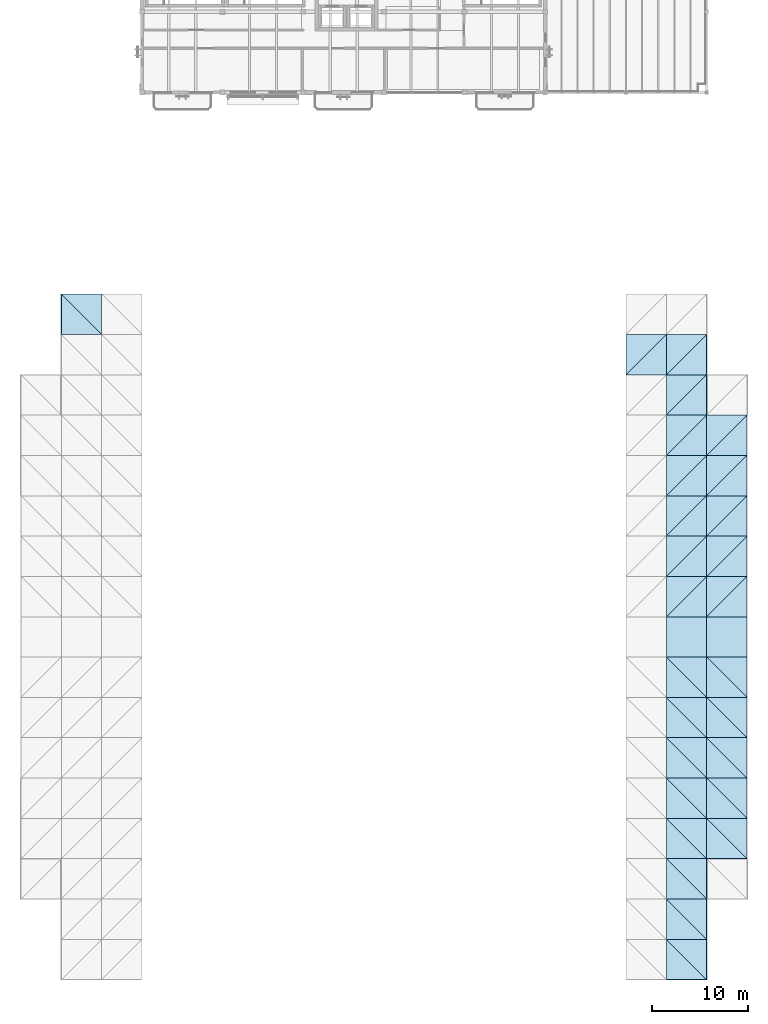
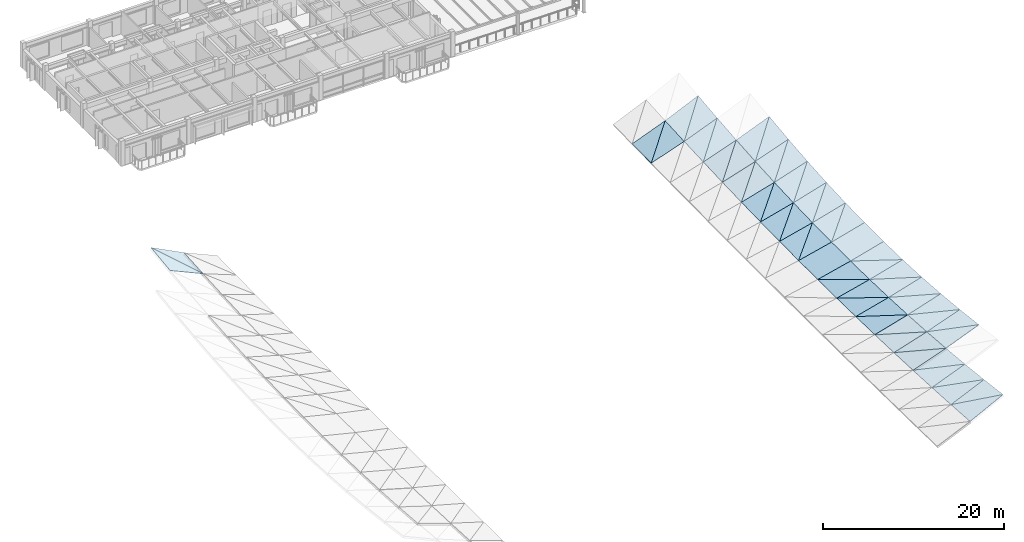
# One storey, part 19 of 24: 56 roofs.
"""IFC4 building model written with IfcOpenShell, lengths in metres."""

from ifc_helpers import new_model, si_unit, direction, frame, origin, place, context, subcontext, project, spatial, polyline, outline, extrude, material, layer, layer_set, type_object, element, save


model = new_model("IFC4")

# Units and contexts
model_context = context("Model", 3, precision=1e-05, world=origin(), true_north=direction((0.0, 1.0)))
body_context = subcontext(model_context, "Body", "Model", "MODEL_VIEW")
ifc_project = project(units=[si_unit("LENGTHUNIT", "METRE"), si_unit("AREAUNIT", "SQUARE_METRE"), si_unit("VOLUMEUNIT", "CUBIC_METRE"), si_unit("PLANEANGLEUNIT", "RADIAN"), si_unit("MASSUNIT", "GRAM", prefix="KILO")], contexts=[model_context])

# Site, building, storey
site_placement = place(None, origin())
site = spatial("IfcSite", under=ifc_project, at=site_placement, CompositionType="ELEMENT")
building_placement = place(site_placement, origin())
building = spatial("IfcBuilding", under=site, at=building_placement, Name="Cumbredor Promenade Congress Hotel", CompositionType="ELEMENT")
storey_placement = place(building_placement, frame((0.0, 0.0, 35.280029296875)))
storey = spatial("IfcBuildingStorey", under=building, at=storey_placement, Name="L10", CompositionType="ELEMENT", Elevation=35.280029296875)

# Roofs
ifc_material = material(Name="Standing-seam zinc-aluminium roofing", Category="aluminium")
ifc_layer = layer(ifc_material, 0.050048828125, Name="Standing-seam zinc-aluminium roofing", Category="aluminium")
ifc_layer_set = layer_set([ifc_layer], Name="Standing-seam zinc-aluminium roofing")
roof_type = type_object("IfcRoofType", Name="Sweeping Pavilion Standing-Seam Roof Skin 50mm", PredefinedType="FREEFORM", material=ifc_layer_set)
roof_1_placement = place(storey_placement, frame((0.0, 67.199951171875, 3.99951171875), z_axis=(0.409046691077, -0.115494917277, 0.905174971263), x_axis=(0.911273146381, 0.0, -0.411802443758)))
element("IfcRoof", 1, at=roof_1_placement, inside=storey, type_object=roof_type, Name="Plenary Congress Hall Standing-Seam Roof Skin 2.17.1", PredefinedType="FREEFORM", context=body_context, shape_type="SweptSolid", body=[
    extrude(outline(polyline([(0.0, 0.0), (4.608882845450502, 0.0), (-0.22068026466025614, 4.228246295518701), (0.0, 0.0)])), origin(), (0.0, 0.0, -1.0), 0.050048828125),
])
roof_2_placement = place(storey_placement, frame((4.199951171875, 67.199951171875, 2.1015625), z_axis=(0.45453933553, -0.060439938921, 0.888673734415), x_axis=(0.0, 0.997695217775, 0.067854641911)))
element("IfcRoof", 2, at=roof_2_placement, inside=storey, type_object=roof_type, Name="Plenary Congress Hall Standing-Seam Roof Skin 2.17.2", PredefinedType="FREEFORM", context=body_context, shape_type="SweptSolid", body=[
    extrude(outline(polyline([(0.0, 0.0), (4.209653506450053, 0.0), (4.355418397606259, 4.7151964065034715), (0.0, 0.0)])), origin(), (0.0, 0.0, -1.0), 0.050048828125),
])
roof_3_placement = place(storey_placement, frame((58.800048828125, 63.0, 0.396484375), z_axis=(-0.326844885667, -0.056155899819, 0.943408149015), x_axis=(0.944899188184, 0.0, 0.327361457977)))
element("IfcRoof", 3, at=roof_3_placement, inside=storey, type_object=roof_type, Name="Plenary Congress Hall Standing-Seam Roof Skin 16.16.1", PredefinedType="FREEFORM", context=body_context, shape_type="SweptSolid", body=[
    extrude(outline(polyline([(0.0, 0.0), (4.444866949188435, 0.0), (4.526707313682679, 4.20658911719146), (0.0, 0.0)])), origin(), (0.0, 0.0, -1.0), 0.050048828125),
])
roof_4_placement = place(storey_placement, frame((58.800048828125, 63.0, 0.396484375), z_axis=(-0.364619815794, -0.013368130399, 0.93106051523), x_axis=(0.679656505654, 0.679656505654, 0.275924026942)))
element("IfcRoof", 4, at=roof_4_placement, inside=storey, type_object=roof_type, Name="Plenary Congress Hall Standing-Seam Roof Skin 16.16.2", PredefinedType="FREEFORM", context=body_context, shape_type="SweptSolid", body=[
    extrude(outline(polyline([(0.0, 0.0), (6.179520297290226, 1.6653345369377348e-16), (2.8711631106988817, 3.065884645199361), (0.0, 0.0)])), origin(), (0.0, 0.0, -1.0), 0.050048828125),
])
roof_5_placement = place(storey_placement, frame((63.0, 0.0, 2.38720703125), z_axis=(-0.45453933553, 0.060439938921, 0.888673734415), x_axis=(0.890301351474, 0.0, 0.455371830007)))
element("IfcRoof", 5, at=roof_5_placement, inside=storey, type_object=roof_type, Name="Plenary Congress Hall Standing-Seam Roof Skin 17.1.1", PredefinedType="FREEFORM", context=body_context, shape_type="SweptSolid", body=[
    extrude(outline(polyline([(0.0, 0.0), (4.717448945711764, 0.0), (-0.13007447292690355, 4.207643434971648), (0.0, 0.0)])), origin(), (0.0, 0.0, -1.0), 0.050048828125),
])
roof_6_placement = place(storey_placement, frame((67.199951171875, 0.0, 4.535400390625), z_axis=(-0.409046691077, 0.115494917277, 0.905174971263), x_axis=(0.0, 0.991957945242, -0.126567906168)))
element("IfcRoof", 6, at=roof_6_placement, inside=storey, type_object=roof_type, Name="Plenary Congress Hall Standing-Seam Roof Skin 17.1.2", PredefinedType="FREEFORM", context=body_context, shape_type="SweptSolid", body=[
    extrude(outline(polyline([(0.0, 0.0), (4.234001241707204, 0.0), (4.474220700337317, 4.602618352066939), (0.0, 0.0)])), origin(), (0.0, 0.0, -1.0), 0.050048828125),
])
roof_7_placement = place(storey_placement, frame((63.0, 4.199951171875, 2.1015625), z_axis=(-0.411197951808, 0.054163455448, 0.909935472725), x_axis=(0.911273146381, 0.0, 0.411802443758)))
element("IfcRoof", 7, at=roof_7_placement, inside=storey, type_object=roof_type, Name="Plenary Congress Hall Standing-Seam Roof Skin 17.2.1", PredefinedType="FREEFORM", context=body_context, shape_type="SweptSolid", body=[
    extrude(outline(polyline([(0.0, 0.0), (4.608882845450503, 0.0), (-0.10295061093945436, 4.2061254163233635), (0.0, 0.0)])), origin(), (0.0, 0.0, -1.0), 0.050048828125),
])
roof_8_placement = place(storey_placement, frame((67.199951171875, 4.199951171875, 3.99951171875), z_axis=(-0.369264178227, 0.103080433585, 0.923589947374), x_axis=(0.0, 0.993829366657, -0.110919745625)))
element("IfcRoof", 8, at=roof_8_placement, inside=storey, type_object=roof_type, Name="Plenary Congress Hall Standing-Seam Roof Skin 17.2.2", PredefinedType="FREEFORM", context=body_context, shape_type="SweptSolid", body=[
    extrude(outline(polyline([(0.0, 0.0), (4.22602844389791, -2.7755575615628914e-17), (4.4122847940948935, 4.519359294678406), (0.0, 0.0)])), origin(), (0.0, 0.0, -1.0), 0.050048828125),
])
roof_9_placement = place(storey_placement, frame((63.0, 8.39990234375, 1.8515625), z_axis=(-0.370825649109, 0.047334398802, 0.927495440772), x_axis=(0.928536237843, 0.0, 0.371241774335)))
element("IfcRoof", 9, at=roof_9_placement, inside=storey, type_object=roof_type, Name="Plenary Congress Hall Standing-Seam Roof Skin 17.3.1", PredefinedType="FREEFORM", context=body_context, shape_type="SweptSolid", body=[
    extrude(outline(polyline([(0.0, 0.0), (4.523195757689998, 0.0), (-0.07957770455719006, 4.204908598182298), (0.0, 0.0)])), origin(), (0.0, 0.0, -1.0), 0.050048828125),
])
roof_10_placement = place(storey_placement, frame((67.199951171875, 8.39990234375, 3.53076171875), z_axis=(-0.333285481818, 0.089849284982, 0.938534971963), x_axis=(0.0, 0.995448803376, -0.095297848126)))
element("IfcRoof", 10, at=roof_10_placement, inside=storey, type_object=roof_type, Name="Plenary Congress Hall Standing-Seam Roof Skin 17.3.2", PredefinedType="FREEFORM", context=body_context, shape_type="SweptSolid", body=[
    extrude(outline(polyline([(0.0, 0.0), (4.219398625279021, 2.7755575615628914e-17), (4.361531084800967, 4.454641002387205), (0.0, 0.0)])), origin(), (0.0, 0.0, -1.0), 0.050048828125),
])
roof_11_placement = place(storey_placement, frame((63.0, 12.60009765625, 1.63720703125), z_axis=(-0.334371010112, 0.040010674152, 0.94159182959), x_axis=(0.942346411237, 0.0, 0.334638971473)))
element("IfcRoof", 11, at=roof_11_placement, inside=storey, type_object=roof_type, Name="Plenary Congress Hall Standing-Seam Roof Skin 17.4.1", PredefinedType="FREEFORM", context=body_context, shape_type="SweptSolid", body=[
    extrude(outline(polyline([(0.0, 0.0), (4.456907907529506, 6.938893903907228e-18), (-0.05972194534830862, 4.2033169679391085), (0.0, 0.0)])), origin(), (0.0, 0.0, -1.0), 0.050048828125),
])
roof_12_placement = place(storey_placement, frame((67.199951171875, 12.60009765625, 3.128662109375), z_axis=(-0.302098077759, 0.075731662938, 0.95026389316), x_axis=(0.0, 0.99683936923, -0.079443514225)))
element("IfcRoof", 12, at=roof_12_placement, inside=storey, type_object=roof_type, Name="Plenary Congress Hall Standing-Seam Roof Skin 17.4.2", PredefinedType="FREEFORM", context=body_context, shape_type="SweptSolid", body=[
    extrude(outline(polyline([(0.0, 0.0), (4.213267755584073, -1.3877787807814457e-17), (4.319341139201555, 4.405804226707414), (0.0, 0.0)])), origin(), (0.0, 0.0, -1.0), 0.050048828125),
])
roof_13_placement = place(storey_placement, frame((63.0, 16.800048828125, 1.458740234375), z_axis=(-0.302809161441, 0.032390447878, 0.952500640752), x_axis=(0.953000688043, 0.0, 0.302968131309)))
element("IfcRoof", 13, at=roof_13_placement, inside=storey, type_object=roof_type, Name="Plenary Congress Hall Standing-Seam Roof Skin 17.5.1", PredefinedType="FREEFORM", context=body_context, shape_type="SweptSolid", body=[
    extrude(outline(polyline([(0.0, 0.0), (4.407080943979243, -6.938893903907228e-18), (-0.04327059492572728, 4.202156077694785), (0.0, 0.0)])), origin(), (0.0, 0.0, -1.0), 0.050048828125),
])
roof_14_placement = place(storey_placement, frame((67.199951171875, 16.800048828125, 2.7939453125), z_axis=(-0.276311214531, 0.061216649224, 0.959116590714), x_axis=(0.0, 0.99796931825, -0.063696466398)))
element("IfcRoof", 14, at=roof_14_placement, inside=storey, type_object=roof_type, Name="Plenary Congress Hall Standing-Seam Roof Skin 17.5.2", PredefinedType="FREEFORM", context=body_context, shape_type="SweptSolid", body=[
    extrude(outline(polyline([(0.0, 0.0), (4.208497290517599, 1.3877787807814457e-17), (4.28556752671552, 4.370086440232328), (0.0, 0.0)])), origin(), (0.0, 0.0, -1.0), 0.050048828125),
])
roof_15_placement = place(storey_placement, frame((63.0, 21.0, 1.31591796875), z_axis=(-0.27674721727, 0.024514130021, 0.960630019915), x_axis=(0.96091879181, 0.0, 0.276830409359)))
element("IfcRoof", 15, at=roof_15_placement, inside=storey, type_object=roof_type, Name="Plenary Congress Hall Standing-Seam Roof Skin 17.6.1", PredefinedType="FREEFORM", context=body_context, shape_type="SweptSolid", body=[
    extrude(outline(polyline([(0.0, 0.0), (4.37076598737682, 3.469446951953614e-18), (-0.029670056081252456, 4.201213705663172), (0.0, 0.0)])), origin(), (0.0, 0.0, -1.0), 0.050048828125),
])
roof_16_placement = place(storey_placement, frame((67.199951171875, 21.0, 2.52587890625), z_axis=(-0.256577242509, 0.046186148422, 0.965419576309), x_axis=(0.0, 0.998857604206, -0.047785840159)))
element("IfcRoof", 16, at=roof_16_placement, inside=storey, type_object=roof_type, Name="Plenary Congress Hall Standing-Seam Roof Skin 17.6.2", PredefinedType="FREEFORM", context=body_context, shape_type="SweptSolid", body=[
    extrude(outline(polyline([(0.0, 0.0), (4.204754665919911, 0.0), (4.258093743363422, 4.345419616785735), (0.0, 0.0)])), origin(), (0.0, 0.0, -1.0), 0.050048828125),
])
roof_17_placement = place(storey_placement, frame((63.0, 25.199951171875, 1.208740234375), z_axis=(-0.256816551653, 0.016458278573, 0.966320021454), x_axis=(0.966450923984, 0.0, 0.256851341304)))
element("IfcRoof", 17, at=roof_17_placement, inside=storey, type_object=roof_type, Name="Plenary Congress Hall Standing-Seam Roof Skin 17.7.1", PredefinedType="FREEFORM", context=body_context, shape_type="SweptSolid", body=[
    extrude(outline(polyline([(0.0, 0.0), (4.345746967223105, 6.938893903907228e-18), (-0.018373399170443463, 4.200520118209939), (0.0, 0.0)])), origin(), (0.0, 0.0, -1.0), 0.050048828125),
])
roof_18_placement = place(storey_placement, frame((67.199951171875, 25.199951171875, 2.324951171875), z_axis=(-0.243228293779, 0.030938909473, 0.969475518508), x_axis=(0.0, 0.999491167619, -0.031896800036)))
element("IfcRoof", 18, at=roof_18_placement, inside=storey, type_object=roof_type, Name="Plenary Congress Hall Standing-Seam Roof Skin 17.7.2", PredefinedType="FREEFORM", context=body_context, shape_type="SweptSolid", body=[
    extrude(outline(polyline([(0.0, 0.0), (4.202089330996443, -6.938893903907228e-18), (4.235699338065826, 4.329984636620101), (0.0, 0.0)])), origin(), (0.0, 0.0, -1.0), 0.050048828125),
])
roof_19_placement = place(storey_placement, frame((63.0, 29.39990234375, 1.13720703125), z_axis=(-0.243336545039, 0.008231017267, 0.969906993584), x_axis=(0.969939850681, 0.0, 0.24334478844)))
element("IfcRoof", 19, at=roof_19_placement, inside=storey, type_object=roof_type, Name="Plenary Congress Hall Standing-Seam Roof Skin 17.8.1", PredefinedType="FREEFORM", context=body_context, shape_type="SweptSolid", body=[
    extrude(outline(polyline([(0.0, 0.0), (4.330115077678804, 1.734723475976807e-18), (-0.008673910916085721, 4.2003376006012205), (0.0, 0.0)])), origin(), (0.0, 0.0, -1.0), 0.050048828125),
])
roof_20_placement = place(storey_placement, frame((67.199951171875, 29.39990234375, 2.19091796875), z_axis=(-0.236509174984, 0.015472719001, 0.971506049963), x_axis=(0.0, 0.999873196964, -0.015924509182)))
element("IfcRoof", 20, at=roof_20_placement, inside=storey, type_object=roof_type, Name="Plenary Congress Hall Standing-Seam Roof Skin 17.8.2", PredefinedType="FREEFORM", context=body_context, shape_type="SweptSolid", body=[
    extrude(outline(polyline([(0.0, 0.0), (4.200727977560334, -3.469446951953614e-18), (4.217010166147851, 4.322586159370611), (0.0, 0.0)])), origin(), (0.0, 0.0, -1.0), 0.050048828125),
])
roof_21_placement = place(storey_placement, frame((63.0, 33.60009765625, 1.1015625), z_axis=(-0.236537490812, 0.0, 0.971622362567), x_axis=(0.971622362567, 0.0, 0.236537490812)))
element("IfcRoof", 21, at=roof_21_placement, inside=storey, type_object=roof_type, Name="Plenary Congress Hall Standing-Seam Roof Skin 17.9", PredefinedType="FREEFORM", context=body_context, shape_type="SweptSolid", body=[
    extrude(outline(polyline([(0.0, 0.0), (4.322616824892945, 0.0), (4.322616824892945, 4.199951171875), (0.0, 4.199951171875), (0.0, 0.0)])), origin(), (0.0, 0.0, -1.0), 0.050048828125),
])
roof_22_placement = place(storey_placement, frame((63.0, 37.800048828125, 1.1015625), z_axis=(-0.236509171692, -0.015473618205, 0.971506036443), x_axis=(0.971622362567, 0.0, 0.236537490812)))
element("IfcRoof", 22, at=roof_22_placement, inside=storey, type_object=roof_type, Name="Plenary Congress Hall Standing-Seam Roof Skin 17.10.1", PredefinedType="FREEFORM", context=body_context, shape_type="SweptSolid", body=[
    extrude(outline(polyline([(0.0, 0.0), (4.322616824892945, 0.0), (4.338439889463835, 4.200454065344952), (0.0, 0.0)])), origin(), (0.0, 0.0, -1.0), 0.050048828125),
])
roof_23_placement = place(storey_placement, frame((63.0, 37.800048828125, 1.1015625), z_axis=(-0.243336544081, -0.008231495699, 0.969906989764), x_axis=(0.69550606535, 0.69550606535, 0.180395748625)))
element("IfcRoof", 23, at=roof_23_placement, inside=storey, type_object=roof_type, Name="Plenary Congress Hall Standing-Seam Roof Skin 17.10.2", PredefinedType="FREEFORM", context=body_context, shape_type="SweptSolid", body=[
    extrude(outline(polyline([(0.0, 0.0), (6.038698123731962, -8.326672684688674e-17), (2.9275216361133496, 3.011723335373028), (0.0, 0.0)])), origin(), (0.0, 0.0, -1.0), 0.050048828125),
])
roof_24_placement = place(storey_placement, frame((63.0, 42.0, 1.13720703125), z_axis=(-0.243228293779, -0.030938909473, 0.969475518508), x_axis=(0.969939850681, 0.0, 0.24334478844)))
element("IfcRoof", 24, at=roof_24_placement, inside=storey, type_object=roof_type, Name="Plenary Congress Hall Standing-Seam Roof Skin 17.11.1", PredefinedType="FREEFORM", context=body_context, shape_type="SweptSolid", body=[
    extrude(outline(polyline([(0.0, 0.0), (4.330115077678804, -6.938893903907228e-18), (4.362731359137236, 4.201962746605204), (0.0, 0.0)])), origin(), (0.0, 0.0, -1.0), 0.050048828125),
])
roof_25_placement = place(storey_placement, frame((63.0, 42.0, 1.13720703125), z_axis=(-0.256816551653, -0.016458278573, 0.966320021454), x_axis=(0.693379318259, 0.693379318259, 0.196087332636)))
element("IfcRoof", 25, at=roof_25_placement, inside=storey, type_object=roof_type, Name="Plenary Congress Hall Standing-Seam Roof Skin 17.11.2", PredefinedType="FREEFORM", context=body_context, shape_type="SweptSolid", body=[
    extrude(outline(polyline([(0.0, 0.0), (6.057220140943978, -4.163336342344337e-16), (2.9261860352732345, 3.013659259480975), (0.0, 0.0)])), origin(), (0.0, 0.0, -1.0), 0.050048828125),
])
roof_26_placement = place(storey_placement, frame((63.0, 46.199951171875, 1.208740234375), z_axis=(-0.256577242509, -0.046186148422, 0.965419576309), x_axis=(0.966450923984, 0.0, 0.256851341304)))
element("IfcRoof", 26, at=roof_26_placement, inside=storey, type_object=roof_type, Name="Plenary Congress Hall Standing-Seam Roof Skin 17.12.1", PredefinedType="FREEFORM", context=body_context, shape_type="SweptSolid", body=[
    extrude(outline(polyline([(0.0, 0.0), (4.345746967223105, -6.938893903907228e-18), (4.397355525302542, 4.204437935956269), (0.0, 0.0)])), origin(), (0.0, 0.0, -1.0), 0.050048828125),
])
roof_27_placement = place(storey_placement, frame((63.0, 46.199951171875, 1.208740234375), z_axis=(-0.27674721727, -0.024514130021, 0.960630019915), x_axis=(0.690336810607, 0.690336810607, 0.216495209744)))
element("IfcRoof", 27, at=roof_27_placement, inside=storey, type_object=roof_type, Name="Plenary Congress Hall Standing-Seam Roof Skin 17.12.2", PredefinedType="FREEFORM", context=body_context, shape_type="SweptSolid", body=[
    extrude(outline(polyline([(0.0, 0.0), (6.0839160064235775, -1.3877787807814457e-16), (2.9225843627804853, 3.018207672661199), (0.0, 0.0)])), origin(), (0.0, 0.0, -1.0), 0.050048828125),
])
roof_28_placement = place(storey_placement, frame((63.0, 50.39990234375, 1.31591796875), z_axis=(-0.276311274717, -0.061213104278, 0.959116799628), x_axis=(0.96091879181, 0.0, 0.276830409359)))
element("IfcRoof", 28, at=roof_28_placement, inside=storey, type_object=roof_type, Name="Plenary Congress Hall Standing-Seam Roof Skin 17.13.1", PredefinedType="FREEFORM", context=body_context, shape_type="SweptSolid", body=[
    extrude(outline(polyline([(0.0, 0.0), (4.370765987376819, -2.7755575615628914e-17), (4.444974920354531, 4.208086654950569), (0.0, 0.0)])), origin(), (0.0, 0.0, -1.0), 0.050048828125),
])
roof_29_placement = place(storey_placement, frame((63.0, 50.39990234375, 1.31591796875), z_axis=(-0.302809179907, -0.032388567125, 0.952500698836), x_axis=(0.686162158365, 0.686202044557, 0.241471005449)))
element("IfcRoof", 29, at=roof_29_placement, inside=storey, type_object=roof_type, Name="Plenary Congress Hall Standing-Seam Roof Skin 17.13.2", PredefinedType="FREEFORM", context=body_context, shape_type="SweptSolid", body=[
    extrude(outline(polyline([(0.0, 0.0), (6.1209309208774645, 1.6653345369377348e-16), (2.9166700470584264, 3.0257353980970367), (0.0, 0.0)])), origin(), (0.0, 0.0, -1.0), 0.050048828125),
])
roof_30_placement = place(storey_placement, frame((63.0, 54.60009765625, 1.458740234375), z_axis=(-0.302098077759, -0.075731662938, 0.95026389316), x_axis=(0.953000688043, 0.0, 0.302968131309)))
element("IfcRoof", 30, at=roof_30_placement, inside=storey, type_object=roof_type, Name="Plenary Congress Hall Standing-Seam Roof Skin 17.14.1", PredefinedType="FREEFORM", context=body_context, shape_type="SweptSolid", body=[
    extrude(outline(polyline([(0.0, 0.0), (4.407080943979243, -1.3877787807814457e-17), (4.508489466446204, 4.212047185373818), (0.0, 0.0)])), origin(), (0.0, 0.0, -1.0), 0.050048828125),
])
roof_31_placement = place(storey_placement, frame((63.0, 54.60009765625, 1.458740234375), z_axis=(-0.334371010112, -0.040010674152, 0.94159182959), x_axis=(0.680714881199, 0.680714881199, 0.270655687229)))
element("IfcRoof", 31, at=roof_31_placement, inside=storey, type_object=roof_type, Name="Plenary Congress Hall Standing-Seam Roof Skin 17.14.2", PredefinedType="FREEFORM", context=body_context, shape_type="SweptSolid", body=[
    extrude(outline(polyline([(0.0, 0.0), (6.169912378702951, 3.3306690738754696e-16), (2.907272316558864, 3.03631485868832), (0.0, 0.0)])), origin(), (0.0, 0.0, -1.0), 0.050048828125),
])
roof_32_placement = place(storey_placement, frame((63.0, 58.800048828125, 1.63720703125), z_axis=(-0.333285325412, -0.089854465699, 0.938534531522), x_axis=(0.942346411237, 0.0, 0.334638971473)))
element("IfcRoof", 32, at=roof_32_placement, inside=storey, type_object=roof_type, Name="Plenary Congress Hall Standing-Seam Roof Skin 17.15.1", PredefinedType="FREEFORM", context=body_context, shape_type="SweptSolid", body=[
    extrude(outline(polyline([(0.0, 0.0), (4.456907907529506, 0.0), (4.591466107240401, 4.217009370737072), (0.0, 0.0)])), origin(), (0.0, 0.0, -1.0), 0.050048828125),
])
roof_33_placement = place(storey_placement, frame((63.0, 58.800048828125, 1.63720703125), z_axis=(-0.370825600811, -0.047337144157, 0.92749531997), x_axis=(0.673699801251, 0.673699801251, 0.303738630385)))
element("IfcRoof", 33, at=roof_33_placement, inside=storey, type_object=roof_type, Name="Plenary Congress Hall Standing-Seam Roof Skin 17.15.2", PredefinedType="FREEFORM", context=body_context, shape_type="SweptSolid", body=[
    extrude(outline(polyline([(0.0, 0.0), (6.234158246854309, 4.996003610813204e-16), (2.8946143062509795, 3.05069600766192), (0.0, 0.0)])), origin(), (0.0, 0.0, -1.0), 0.050048828125),
])
roof_34_placement = place(storey_placement, frame((63.0, 63.0, 1.8515625), z_axis=(-0.369264178227, -0.103080433585, 0.923589947374), x_axis=(0.928536237843, 0.0, 0.371241774335)))
element("IfcRoof", 34, at=roof_34_placement, inside=storey, type_object=roof_type, Name="Plenary Congress Hall Standing-Seam Roof Skin 17.16.1", PredefinedType="FREEFORM", context=body_context, shape_type="SweptSolid", body=[
    extrude(outline(polyline([(0.0, 0.0), (4.523195757689998, -2.7755575615628914e-17), (4.697215339409594, 4.222444030867942), (0.0, 0.0)])), origin(), (0.0, 0.0, -1.0), 0.050048828125),
])
roof_35_placement = place(storey_placement, frame((63.0, 63.0, 1.8515625), z_axis=(-0.411197951808, -0.054163455448, 0.909935472725), x_axis=(0.664961689209, 0.664961689209, 0.340076320506)))
element("IfcRoof", 35, at=roof_35_placement, inside=storey, type_object=roof_type, Name="Plenary Congress Hall Standing-Seam Roof Skin 17.16.2", PredefinedType="FREEFORM", context=body_context, shape_type="SweptSolid", body=[
    extrude(outline(polyline([(0.0, 0.0), (6.316079918636014, -3.3306690738754696e-16), (2.8778257059715933, 3.0692359068965835), (0.0, 0.0)])), origin(), (0.0, 0.0, -1.0), 0.050048828125),
])
roof_36_placement = place(storey_placement, frame((67.199951171875, 12.60009765625, 3.128662109375), z_axis=(-0.372363221711, 0.073730499273, 0.925153741058), x_axis=(0.927678694472, 0.0, 0.373379485004)))
element("IfcRoof", 36, at=roof_36_placement, inside=storey, type_object=roof_type, Name="Plenary Congress Hall Standing-Seam Roof Skin 18.4.1", PredefinedType="FREEFORM", context=body_context, shape_type="SweptSolid", body=[
    extrude(outline(polyline([(0.0, 0.0), (4.527376986127346, 1.3877787807814457e-17), (-0.12497638523943586, 4.211413786767685), (0.0, 0.0)])), origin(), (0.0, 0.0, -1.0), 0.050048828125),
])
roof_37_placement = place(storey_placement, frame((71.39990234375, 12.60009765625, 4.819091796875), z_axis=(-0.336700195513, 0.113990158171, 0.934686697339), x_axis=(0.0, 0.992645370198, -0.121058535527)))
element("IfcRoof", 37, at=roof_37_placement, inside=storey, type_object=roof_type, Name="Plenary Congress Hall Standing-Seam Roof Skin 18.4.2", PredefinedType="FREEFORM", context=body_context, shape_type="SweptSolid", body=[
    extrude(outline(polyline([(0.0, 0.0), (4.23106911891027, 0.0), (4.414223353447035, 4.460384530657375), (0.0, 0.0)])), origin(), (0.0, 0.0, -1.0), 0.050048828125),
])
roof_38_placement = place(storey_placement, frame((67.199951171875, 16.800048828125, 2.7939453125), z_axis=(-0.33829986534, 0.059940818484, 0.939127413821), x_axis=(0.940819069904, 0.0, 0.338909247003)))
element("IfcRoof", 38, at=roof_38_placement, inside=storey, type_object=roof_type, Name="Plenary Congress Hall Standing-Seam Roof Skin 18.5.1", PredefinedType="FREEFORM", context=body_context, shape_type="SweptSolid", body=[
    extrude(outline(polyline([(0.0, 0.0), (4.464143325987234, 0.0), (-0.09085018388905977, 4.207516570184995), (0.0, 0.0)])), origin(), (0.0, 0.0, -1.0), 0.050048828125),
])
roof_39_placement = place(storey_placement, frame((71.39990234375, 16.800048828125, 4.306884765625), z_axis=(-0.309060738266, 0.092327562544, 0.946550094426), x_axis=(0.0, 0.995276542908, -0.097080395222)))
element("IfcRoof", 39, at=roof_39_placement, inside=storey, type_object=roof_type, Name="Plenary Congress Hall Standing-Seam Roof Skin 18.5.2", PredefinedType="FREEFORM", context=body_context, shape_type="SweptSolid", body=[
    extrude(outline(polyline([(0.0, 0.0), (4.2198836110435485, 0.0), (4.3530136354480184, 4.41615600415113), (0.0, 0.0)])), origin(), (0.0, 0.0, -1.0), 0.050048828125),
])
roof_40_placement = place(storey_placement, frame((67.199951171875, 21.0, 2.52587890625), z_axis=(-0.310066019111, 0.045430716348, 0.949628934798), x_axis=(0.950610447719, 0.0, 0.31038649566)))
element("IfcRoof", 40, at=roof_40_placement, inside=storey, type_object=roof_type, Name="Plenary Congress Hall Standing-Seam Roof Skin 18.6.1", PredefinedType="FREEFORM", context=body_context, shape_type="SweptSolid", body=[
    extrude(outline(polyline([(0.0, 0.0), (4.418162226129549, 0.0), (-0.06236525535352614, 4.204292137268764), (0.0, 0.0)])), origin(), (0.0, 0.0, -1.0), 0.050048828125),
])
roof_41_placement = place(storey_placement, frame((71.39990234375, 21.0, 3.897216796875), z_axis=(-0.287720702689, 0.069848059433, 0.955163884283), x_axis=(0.0, 0.997336912956, -0.072932037232)))
element("IfcRoof", 41, at=roof_41_placement, inside=storey, type_object=roof_type, Name="Plenary Congress Hall Standing-Seam Roof Skin 18.6.2", PredefinedType="FREEFORM", context=body_context, shape_type="SweptSolid", body=[
    extrude(outline(polyline([(0.0, 0.0), (4.21116587315063, 0.0), (4.303434871425851, 4.38539019874184), (0.0, 0.0)])), origin(), (0.0, 0.0, -1.0), 0.050048828125),
])
roof_42_placement = place(storey_placement, frame((67.199951171875, 25.199951171875, 2.324951171875), z_axis=(-0.28829058045, 0.030542556671, 0.957055742084), x_axis=(0.957502448296, 0.0, 0.288425140212)))
element("IfcRoof", 42, at=roof_42_placement, inside=storey, type_object=roof_type, Name="Plenary Congress Hall Standing-Seam Roof Skin 18.7.1", PredefinedType="FREEFORM", context=body_context, shape_type="SweptSolid", body=[
    extrude(outline(polyline([(0.0, 0.0), (4.386360765288658, 0.0), (-0.03865854540442836, 4.201911501036326), (0.0, 0.0)])), origin(), (0.0, 0.0, -1.0), 0.050048828125),
])
roof_43_placement = place(storey_placement, frame((71.39990234375, 25.199951171875, 3.590087890625), z_axis=(-0.273224130767, 0.046859167153, 0.960808405885), x_axis=(0.0, 0.998812833477, -0.048712664494)))
element("IfcRoof", 43, at=roof_43_placement, inside=storey, type_object=roof_type, Name="Plenary Congress Hall Standing-Seam Roof Skin 18.7.2", PredefinedType="FREEFORM", context=body_context, shape_type="SweptSolid", body=[
    extrude(outline(polyline([(0.0, 0.0), (4.20494313960238, 0.0), (4.263122425418719, 4.366078715327987), (0.0, 0.0)])), origin(), (0.0, 0.0, -1.0), 0.050048828125),
])
roof_44_placement = place(storey_placement, frame((67.199951171875, 29.39990234375, 2.19091796875), z_axis=(-0.27349250661, 0.015317373472, 0.961752165008), x_axis=(0.96186500894, 0.0, 0.273524595927)))
element("IfcRoof", 44, at=roof_44_placement, inside=storey, type_object=roof_type, Name="Plenary Congress Hall Standing-Seam Roof Skin 18.8.1", PredefinedType="FREEFORM", context=body_context, shape_type="SweptSolid", body=[
    extrude(outline(polyline([(0.0, 0.0), (4.366466326188511, 0.0), (-0.018297299629888995, 4.200688128186188), (0.0, 0.0)])), origin(), (0.0, 0.0, -1.0), 0.050048828125),
])
roof_45_placement = place(storey_placement, frame((71.39990234375, 29.39990234375, 3.38525390625), z_axis=(-0.2658733392, 0.023527246464, 0.963720828963), x_axis=(0.0, 0.999702137628, -0.024405655534)))
element("IfcRoof", 45, at=roof_45_placement, inside=storey, type_object=roof_type, Name="Plenary Congress Hall Standing-Seam Roof Skin 18.8.2", PredefinedType="FREEFORM", context=body_context, shape_type="SweptSolid", body=[
    extrude(outline(polyline([(0.0, 0.0), (4.2014467653994325, 0.0), (4.229725388730362, 4.356759798349492), (0.0, 0.0)])), origin(), (0.0, 0.0, -1.0), 0.050048828125),
])
roof_46_placement = place(storey_placement, frame((67.199951171875, 33.60009765625, 2.1240234375), z_axis=(-0.265946954374, 0.0, 0.963987664578), x_axis=(0.963987664578, 0.0, 0.265946954374)))
element("IfcRoof", 46, at=roof_46_placement, inside=storey, type_object=roof_type, Name="Plenary Congress Hall Standing-Seam Roof Skin 18.9", PredefinedType="FREEFORM", context=body_context, shape_type="SweptSolid", body=[
    extrude(outline(polyline([(0.0, 0.0), (4.356851572070339, 0.0), (4.356851572070339, 4.199951171875), (0.0, 4.199951171875), (0.0, 0.0)])), origin(), (0.0, 0.0, -1.0), 0.050048828125),
])
roof_47_placement = place(storey_placement, frame((67.199951171875, 37.800048828125, 2.1240234375), z_axis=(-0.265873330645, -0.023528613331, 0.963720797953), x_axis=(0.963987664578, 0.0, 0.265946954374)))
element("IfcRoof", 47, at=roof_47_placement, inside=storey, type_object=roof_type, Name="Plenary Congress Hall Standing-Seam Roof Skin 18.10.1", PredefinedType="FREEFORM", context=body_context, shape_type="SweptSolid", body=[
    extrude(outline(polyline([(0.0, 0.0), (4.356851572070339, -3.469446951953614e-18), (4.38412152344654, 4.201114192119098), (0.0, 0.0)])), origin(), (0.0, 0.0, -1.0), 0.050048828125),
])
roof_48_placement = place(storey_placement, frame((67.199951171875, 37.800048828125, 2.1240234375), z_axis=(-0.27349250288, -0.015318263653, 0.961752151891), x_axis=(0.691685015947, 0.691685015947, 0.207710561668)))
element("IfcRoof", 48, at=roof_48_placement, inside=storey, type_object=roof_type, Name="Plenary Congress Hall Standing-Seam Roof Skin 18.10.2", PredefinedType="FREEFORM", context=body_context, shape_type="SweptSolid", body=[
    extrude(outline(polyline([(0.0, 0.0), (6.072057475647915, 1.1102230246251565e-16), (2.9189379939537243, 3.0205737388613367), (0.0, 0.0)])), origin(), (0.0, 0.0, -1.0), 0.050048828125),
])
roof_49_placement = place(storey_placement, frame((67.199951171875, 42.0, 2.19091796875), z_axis=(-0.273224130767, -0.046859167153, 0.960808405885), x_axis=(0.96186500894, 0.0, 0.273524595927)))
element("IfcRoof", 49, at=roof_49_placement, inside=storey, type_object=roof_type, Name="Plenary Congress Hall Standing-Seam Roof Skin 18.11.1", PredefinedType="FREEFORM", context=body_context, shape_type="SweptSolid", body=[
    extrude(outline(polyline([(0.0, 0.0), (4.366466326188511, -6.938893903907228e-18), (4.42249345899682, 4.2045698671419895), (0.0, 0.0)])), origin(), (0.0, 0.0, -1.0), 0.050048828125),
])
roof_50_placement = place(storey_placement, frame((67.199951171875, 42.0, 2.19091796875), z_axis=(-0.28829058045, -0.030542556671, 0.957055742084), x_axis=(0.688268252981, 0.688268252981, 0.229289388934)))
element("IfcRoof", 50, at=roof_50_placement, inside=storey, type_object=roof_type, Name="Plenary Congress Hall Standing-Seam Roof Skin 18.11.2", PredefinedType="FREEFORM", context=body_context, shape_type="SweptSolid", body=[
    extrude(outline(polyline([(0.0, 0.0), (6.102200927743044, 8.326672684688674e-17), (2.9214254469121155, 3.0204019771892088), (0.0, 0.0)])), origin(), (0.0, 0.0, -1.0), 0.050048828125),
])
roof_51_placement = place(storey_placement, frame((67.199951171875, 46.199951171875, 2.324951171875), z_axis=(-0.287720702689, -0.069848059433, 0.955163884283), x_axis=(0.957502448296, 0.0, 0.288425140212)))
element("IfcRoof", 51, at=roof_51_placement, inside=storey, type_object=roof_type, Name="Plenary Congress Hall Standing-Seam Roof Skin 18.12.1", PredefinedType="FREEFORM", context=body_context, shape_type="SweptSolid", body=[
    extrude(outline(polyline([(0.0, 0.0), (4.386360765288658, 1.3877787807814457e-17), (4.4749444631370565, 4.210234071837814), (0.0, 0.0)])), origin(), (0.0, 0.0, -1.0), 0.050048828125),
])
roof_52_placement = place(storey_placement, frame((67.199951171875, 46.199951171875, 2.324951171875), z_axis=(-0.310066019111, -0.045430716348, 0.949628934798), x_axis=(0.683563503785, 0.683563503785, 0.255894260558)))
element("IfcRoof", 52, at=roof_52_placement, inside=storey, type_object=roof_type, Name="Plenary Congress Hall Standing-Seam Roof Skin 18.12.2", PredefinedType="FREEFORM", context=body_context, shape_type="SweptSolid", body=[
    extrude(outline(polyline([(0.0, 0.0), (6.1442004270551775, 4.440892098500626e-16), (2.9223495927861416, 3.02321594632569), (0.0, 0.0)])), origin(), (0.0, 0.0, -1.0), 0.050048828125),
])
roof_53_placement = place(storey_placement, frame((67.199951171875, 50.39990234375, 2.52587890625), z_axis=(-0.309060891398, -0.092322241654, 0.946550563417), x_axis=(0.950610447719, 0.0, 0.31038649566)))
element("IfcRoof", 53, at=roof_53_placement, inside=storey, type_object=roof_type, Name="Plenary Congress Hall Standing-Seam Roof Skin 18.13.1", PredefinedType="FREEFORM", context=body_context, shape_type="SweptSolid", body=[
    extrude(outline(polyline([(0.0, 0.0), (4.4181622261295495, 1.3877787807814457e-17), (4.545317631333944, 4.218210522329822), (0.0, 0.0)])), origin(), (0.0, 0.0, -1.0), 0.050048828125),
])
roof_54_placement = place(storey_placement, frame((67.199951171875, 50.39990234375, 2.52587890625), z_axis=(-0.338299935989, -0.05993734688, 0.939127609944), x_axis=(0.677295091307, 0.677334462061, 0.287209654774)))
element("IfcRoof", 54, at=roof_54_placement, inside=storey, type_object=roof_type, Name="Plenary Congress Hall Standing-Seam Roof Skin 18.13.2", PredefinedType="FREEFORM", context=body_context, shape_type="SweptSolid", body=[
    extrude(outline(polyline([(0.0, 0.0), (6.201065423006698, -1.6653345369377348e-16), (2.9219282925408105, 3.0291641280320722), (0.0, 0.0)])), origin(), (0.0, 0.0, -1.0), 0.050048828125),
])
roof_55_placement = place(storey_placement, frame((67.199951171875, 54.60009765625, 2.7939453125), z_axis=(-0.336700195513, -0.113990158171, 0.934686697339), x_axis=(0.940819069904, 0.0, 0.338909247003)))
element("IfcRoof", 55, at=roof_55_placement, inside=storey, type_object=roof_type, Name="Plenary Congress Hall Standing-Seam Roof Skin 18.14.1", PredefinedType="FREEFORM", context=body_context, shape_type="SweptSolid", body=[
    extrude(outline(polyline([(0.0, 0.0), (4.464143325987234, 0.0), (4.637735025257951, 4.227506571365729), (0.0, 0.0)])), origin(), (0.0, 0.0, -1.0), 0.050048828125),
])
roof_56_placement = place(storey_placement, frame((67.199951171875, 54.60009765625, 2.7939453125), z_axis=(-0.372363221711, -0.073730499273, 0.925153741058), x_axis=(0.66927436547, 0.66927436547, 0.322712948996)))
element("IfcRoof", 56, at=roof_56_placement, inside=storey, type_object=roof_type, Name="Plenary Congress Hall Standing-Seam Roof Skin 18.14.2", PredefinedType="FREEFORM", context=body_context, shape_type="SweptSolid", body=[
    extrude(outline(polyline([(0.0, 0.0), (6.275380305244042, -5.551115123125783e-17), (2.918937100159464, 3.038327070207733), (0.0, 0.0)])), origin(), (0.0, 0.0, -1.0), 0.050048828125),
])

save(model, "model.ifc")
